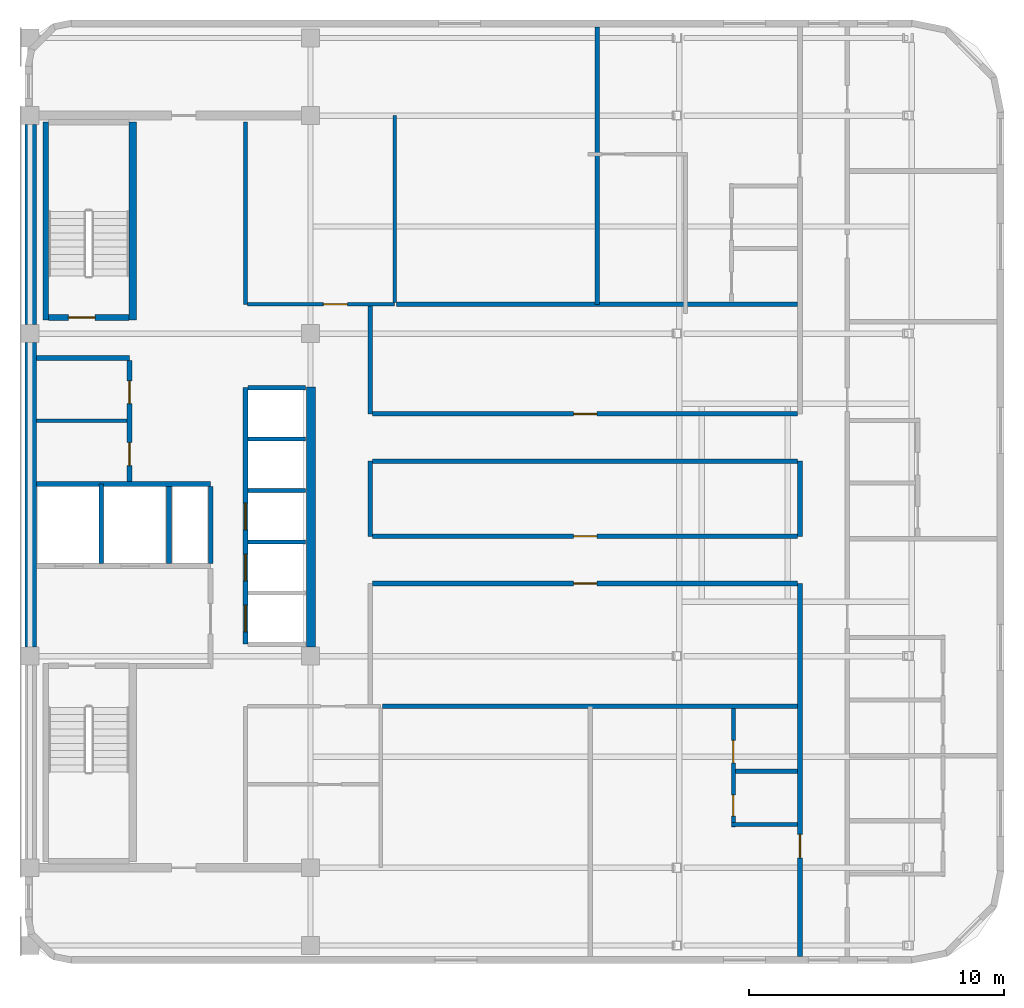
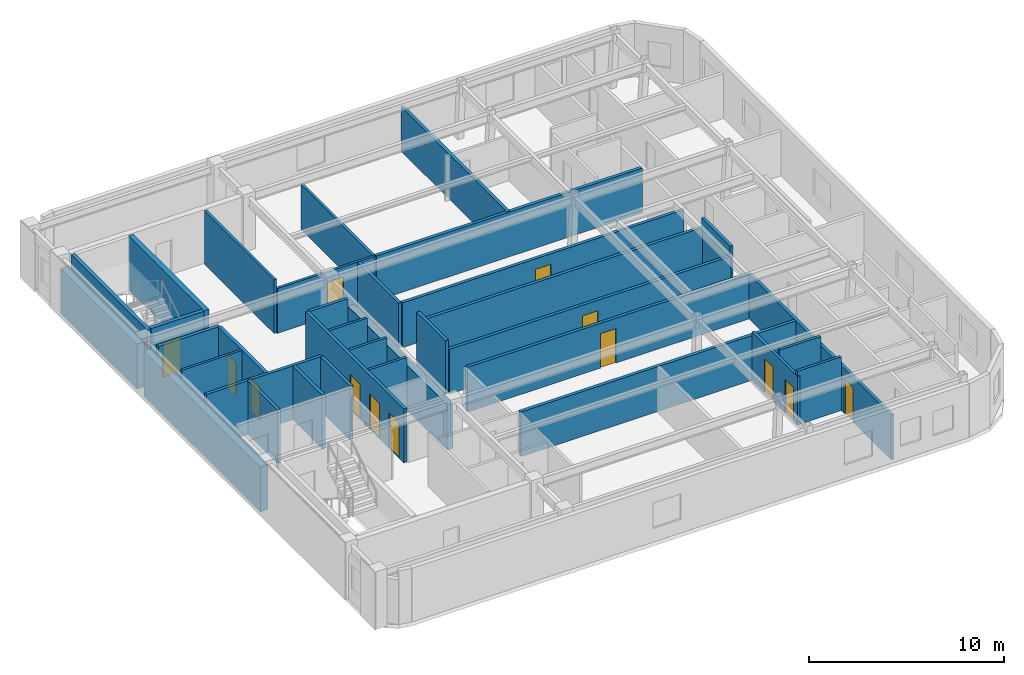
# One storey, part 3 of 6: 35 walls, 13 doors, 13 openings.
"""IFC4 building model written with IfcOpenShell, lengths in metres."""

from ifc_helpers import new_model, si_unit, direction, frame, frame_2d, origin, place, context, subcontext, project, spatial, rectangle, extrude, material, layer, layer_set, type_object, element, fill, save


model = new_model("IFC4")

# Units and contexts
model_context = context("Model", 3, precision=1e-05, world=origin(), true_north=direction((0.0, 1.0)))
body_context = subcontext(model_context, "Body", "Model", "MODEL_VIEW")
ifc_project = project(units=[si_unit("LENGTHUNIT", "METRE"), si_unit("AREAUNIT", "SQUARE_METRE"), si_unit("VOLUMEUNIT", "CUBIC_METRE"), si_unit("PLANEANGLEUNIT", "RADIAN"), si_unit("MASSUNIT", "GRAM", prefix="KILO")], contexts=[model_context])

# Site, building, storey
site_placement = place(None, origin())
site = spatial("IfcSite", under=ifc_project, at=site_placement, CompositionType="ELEMENT")
building_placement = place(site_placement, origin())
building = spatial("IfcBuilding", under=site, at=building_placement, Name="Ochreholt Gables", CompositionType="ELEMENT")
storey_placement = place(building_placement, frame((0.0, 0.0, 274.800048828125)))
storey = spatial("IfcBuildingStorey", under=building, at=storey_placement, Name="L72", CompositionType="ELEMENT", Elevation=274.800048828125)

# Walls
ifc_material_1 = material(Name="Concrete 50 MPa", Category="concrete")
ifc_layer_1 = layer(ifc_material_1, 0.35009765625, Name="Concrete 50 MPa")
ifc_layer_set_1 = layer_set([ifc_layer_1], Name="Concrete 50 MPa")
wall_type_1 = type_object("IfcWallType", Name="WALL-CSW-350", PredefinedType="SHEAR", material=ifc_layer_set_1)
wall_1_placement = place(storey_placement, frame((35.22509765625, 17.89990234375, 0.0), z_axis=(0.0, 0.0, 1.0), x_axis=(0.0, 1.0, 0.0)))
element("IfcWall", 1, at=wall_1_placement, inside=storey, type_object=wall_type_1, Name="L72 Core Central-East Shear Wall", PredefinedType="SHEAR", context=body_context, shape_type="SweptSolid", body=[
    extrude(rectangle(XDim=10.2001953125, YDim=0.35009765625, at=frame_2d((5.10009765625, 0.0))), origin(), (0.0, 0.0, 1.0), 2.821044921875),
])
ifc_layer_2 = layer(ifc_material_1, 0.449951171875, Name="Concrete 50 MPa")
ifc_layer_set_2 = layer_set([ifc_layer_2], Name="Concrete 50 MPa")
wall_type_2 = type_object("IfcWallType", Name="WALL-CSW-EXT", PredefinedType="SHEAR", material=ifc_layer_set_2)
wall_2_placement = place(storey_placement, frame((24.22509765625, 17.89990234375, 0.0), z_axis=(0.0, 0.0, 1.0), x_axis=(0.0, 1.0, 0.0)))
element("IfcWall", 2, at=wall_2_placement, inside=storey, type_object=wall_type_2, Name="L72 Core West Shear Wall WM", PredefinedType="SHEAR", context=body_context, shape_type="SweptSolid", body=[
    extrude(rectangle(XDim=11.9501953125, YDim=0.449951171875, at=frame_2d((5.97509765625, 0.0))), origin(), (0.0, 0.0, 1.0), 2.821044921875),
])
wall_3_placement = place(storey_placement, frame((24.22509765625, 30.550048828125, 0.0), z_axis=(0.0, 0.0, 1.0), x_axis=(0.0, 1.0, 0.0)))
element("IfcWall", 3, at=wall_3_placement, inside=storey, type_object=wall_type_2, Name="L72 Core West Shear Wall WN", PredefinedType="SHEAR", context=body_context, shape_type="SweptSolid", body=[
    extrude(rectangle(XDim=7.849853515625, YDim=0.449951171875, at=frame_2d((3.9248046875, 0.0))), origin(), (0.0, 0.0, 1.0), 2.821044921875),
])
ifc_material_2 = material(Name="Concrete 40 MPa", Category="concrete")
ifc_layer_3 = layer(ifc_material_2, 0.199951171875, Name="Concrete 40 MPa")
ifc_layer_set_3 = layer_set([ifc_layer_3], Name="Concrete 40 MPa")
wall_type_3 = type_object("IfcWallType", Name="WALL-INT-CF200", PredefinedType="STANDARD", material=ifc_layer_set_3)
wall_4_placement = place(storey_placement, frame((24.449951171875, 29.239990234375, 0.0), z_axis=(0.0, 0.0, 1.0), x_axis=(1.0, 0.0, 0.0)))
element("IfcWall", 4, at=wall_4_placement, inside=storey, type_object=wall_type_3, Name="L72 Interior Wall WI-SRVN-L72", PredefinedType="STANDARD", context=body_context, shape_type="SweptSolid", body=[
    extrude(rectangle(XDim=3.650146484375, YDim=0.199951171875, at=frame_2d((1.8251953125, 0.0))), origin(), (0.0, 0.0, 1.0), 3.35986328125),
])

# Wall, openings, doors
wall_5_placement = place(storey_placement, frame((28.10009765625, 24.389892578125, 0.0), z_axis=(0.0, 0.0, 1.0), x_axis=(0.0, 1.0, 0.0)))
wall_5 = element("IfcWall", 5, at=wall_5_placement, inside=storey, type_object=wall_type_3, Name="L72 Interior Wall WI-SRVE-L72", PredefinedType="STANDARD", context=body_context, shape_type="SweptSolid", body=[
    extrude(rectangle(XDim=4.75, YDim=0.199951171875, at=frame_2d((2.375, 0.0))), origin(), (0.0, 0.0, 1.0), 3.35986328125),
])
opening_1_placement = place(wall_5_placement, frame((0.6298828125, 0.0, 0.0)))
opening_1 = element("IfcOpeningElement", 6, at=opening_1_placement, cuts=wall_5, Name="Opening D-SV1", PredefinedType="OPENING", context=body_context, shape_type="SweptSolid", body=[
    extrude(rectangle(XDim=0.89990234375, YDim=2.10009765625, at=frame_2d((0.449951171875, 1.050048828125))), frame((0.0, 0.10986328125, 0.0), z_axis=(0.0, -1.0, 0.0), x_axis=(1.0, 0.0, 0.0)), (0.0, 0.0, 1.0), 0.219970703125),
])
opening_2_placement = place(wall_5_placement, frame((3.06005859375, 0.0, 0.0)))
opening_2 = element("IfcOpeningElement", 7, at=opening_2_placement, cuts=wall_5, Name="Opening D-SV1", PredefinedType="OPENING", context=body_context, shape_type="SweptSolid", body=[
    extrude(rectangle(XDim=0.89990234375, YDim=2.10009765625, at=frame_2d((0.449951171875, 1.050048828125))), frame((0.0, 0.10986328125, 0.0), z_axis=(0.0, -1.0, 0.0), x_axis=(1.0, 0.0, 0.0)), (0.0, 0.0, 1.0), 0.219970703125),
])
ifc_material_3 = material(Name="Hollow Metal Steel", Category="steel")
door_type_1 = type_object("IfcDoorType", Name="DR-INT-SRV900", OperationType="NOTDEFINED", PredefinedType="DOOR", material=ifc_material_3)
door_1_placement = place(opening_1_placement, origin())
door_1 = element("IfcDoor", 8, at=door_1_placement, inside=storey, type_object=door_type_1, Name="L72 Door D-SRV1-L72", OperationType="SINGLE_SWING_LEFT", OverallHeight=2.10009765625, OverallWidth=0.89990234375, PredefinedType="DOOR", context=body_context, shape_type="SweptSolid", body=[
    extrude(rectangle(XDim=0.89990234375, YDim=2.10009765625, at=frame_2d((0.449951171875, 1.050048828125))), frame((0.0, 0.02490234375, 0.0), z_axis=(0.0, -1.0, 0.0), x_axis=(1.0, 0.0, 0.0)), (0.0, 0.0, 1.0), 0.050048828125),
])
fill(opening_1, door_1)
door_2_placement = place(opening_2_placement, origin())
door_2 = element("IfcDoor", 9, at=door_2_placement, inside=storey, type_object=door_type_1, Name="L72 Door D-SRV2-L72", OperationType="SINGLE_SWING_RIGHT", OverallHeight=2.10009765625, OverallWidth=0.89990234375, PredefinedType="DOOR", context=body_context, shape_type="SweptSolid", body=[
    extrude(rectangle(XDim=0.89990234375, YDim=2.10009765625, at=frame_2d((0.449951171875, 1.050048828125))), frame((0.0, 0.02490234375, 0.0), z_axis=(0.0, -1.0, 0.0), x_axis=(1.0, 0.0, 0.0)), (0.0, 0.0, 1.0), 0.050048828125),
])
fill(opening_2, door_2)

# Walls
ifc_material_4 = material(Name="Fire-Rated Gypsum Acoustic Partition", Category="gypsum")
ifc_layer_4 = layer(ifc_material_4, 0.179931640625, Name="Fire-Rated Gypsum Acoustic Partition")
ifc_layer_set_4 = layer_set([ifc_layer_4], Name="Fire-Rated Gypsum Acoustic Partition")
wall_type_4 = type_object("IfcWallType", Name="WALL-INT-CR180", PredefinedType="STANDARD", material=ifc_layer_set_4)
wall_6_placement = place(storey_placement, frame((37.550048828125, 22.25, 0.0), z_axis=(0.0, 0.0, 1.0), x_axis=(0.0, 1.0, 0.0)))
element("IfcWall", 10, at=wall_6_placement, inside=storey, type_object=wall_type_4, Name="L72 Interior Wall WI-C3CE2-L72", PredefinedType="STANDARD", context=body_context, shape_type="SweptSolid", body=[
    extrude(rectangle(XDim=2.949951171875, YDim=0.179931640625, at=frame_2d((1.47509765625, 0.0))), origin(), (0.0, 0.0, 1.0), 3.35986328125),
])
wall_7_placement = place(storey_placement, frame((37.550048828125, 27.050048828125, 0.0), z_axis=(0.0, 0.0, 1.0), x_axis=(0.0, 1.0, 0.0)))
element("IfcWall", 11, at=wall_7_placement, inside=storey, type_object=wall_type_4, Name="L72 Interior Wall WI-C3CE4-L72", PredefinedType="STANDARD", context=body_context, shape_type="SweptSolid", body=[
    extrude(rectangle(XDim=4.2275390625, YDim=0.179931640625, at=frame_2d((2.11376953125, 0.0))), origin(), (0.0, 0.0, 1.0), 2.802978515625),
])

# Wall, opening, door
wall_8_placement = place(storey_placement, frame((54.39990234375, 5.77001953125, 0.0), z_axis=(0.0, 0.0, 1.0), x_axis=(0.0, 1.0, 0.0)))
wall_8 = element("IfcWall", 12, at=wall_8_placement, inside=storey, type_object=wall_type_4, Name="L72 Interior Wall WI-C3GW0-L72", PredefinedType="STANDARD", context=body_context, shape_type="SweptSolid", body=[
    extrude(rectangle(XDim=14.6298828125, YDim=0.179931640625, at=frame_2d((7.31494140625, 0.0))), origin(), (0.0, 0.0, 1.0), 2.802978515625),
])
opening_3_placement = place(wall_8_placement, frame((3.8701171875, 0.0, 0.0)))
opening_3 = element("IfcOpeningElement", 13, at=opening_3_placement, cuts=wall_8, Name="Opening D-UN1", PredefinedType="OPENING", context=body_context, shape_type="SweptSolid", body=[
    extrude(rectangle(XDim=0.919921875, YDim=2.14990234375, at=frame_2d((0.4599609375, 1.074951171875))), frame((0.0, 0.099853515625, 0.0), z_axis=(0.0, -1.0, 0.0), x_axis=(1.0, 0.0, 0.0)), (0.0, 0.0, 1.0), 0.199951171875),
])
ifc_material_5 = material(Name="Engineered Oak Timber", Category="wood")
door_type_2 = type_object("IfcDoorType", Name="DR-INT-UNT920", OperationType="NOTDEFINED", PredefinedType="DOOR", material=ifc_material_5)
door_3_placement = place(opening_3_placement, origin())
door_3 = element("IfcDoor", 14, at=door_3_placement, inside=storey, type_object=door_type_2, Name="L72 Door D-U-L72SM1-ENT", OperationType="SINGLE_SWING_LEFT", OverallHeight=2.14990234375, OverallWidth=0.919921875, PredefinedType="DOOR", context=body_context, shape_type="SweptSolid", body=[
    extrude(rectangle(XDim=0.919921875, YDim=2.14990234375, at=frame_2d((0.4599609375, 1.074951171875))), frame((0.0, 0.02490234375, 0.0), z_axis=(0.0, -1.0, 0.0), x_axis=(1.0, 0.0, 0.0)), (0.0, 0.0, 1.0), 0.050048828125),
])
fill(opening_3, door_3)

# Wall
wall_9_placement = place(storey_placement, frame((54.39990234375, 22.25, 0.0), z_axis=(0.0, 0.0, 1.0), x_axis=(0.0, 1.0, 0.0)))
element("IfcWall", 15, at=wall_9_placement, inside=storey, type_object=wall_type_4, Name="L72 Interior Wall WI-C3GW2-L72", PredefinedType="STANDARD", context=body_context, shape_type="SweptSolid", body=[
    extrude(rectangle(XDim=2.949951171875, YDim=0.179931640625, at=frame_2d((1.47509765625, 0.0))), origin(), (0.0, 0.0, 1.0), 3.35986328125),
])

# Wall, opening, door
wall_10_placement = place(storey_placement, frame((37.639892578125, 20.39990234375, 0.0), z_axis=(0.0, 0.0, 1.0), x_axis=(1.0, 0.0, 0.0)))
wall_10 = element("IfcWall", 16, at=wall_10_placement, inside=storey, type_object=wall_type_4, Name="L72 Interior Wall WI-C3BRS1-L72", PredefinedType="STANDARD", context=body_context, shape_type="SweptSolid", body=[
    extrude(rectangle(XDim=16.670166015625, YDim=0.179931640625, at=frame_2d((8.3349609375, 0.0))), origin(), (0.0, 0.0, 1.0), 2.802978515625),
])
opening_4_placement = place(wall_10_placement, frame((7.875, 0.0, 0.0)))
opening_4 = element("IfcOpeningElement", 17, at=opening_4_placement, cuts=wall_10, Name="Opening D-UN1", PredefinedType="OPENING", context=body_context, shape_type="SweptSolid", body=[
    extrude(rectangle(XDim=0.919921875, YDim=2.14990234375, at=frame_2d((0.4599609375, 1.074951171875))), frame((0.0, 0.099853515625, 0.0), z_axis=(0.0, -1.0, 0.0), x_axis=(1.0, 0.0, 0.0)), (0.0, 0.0, 1.0), 0.199951171875),
])
door_4_placement = place(opening_4_placement, origin())
door_4 = element("IfcDoor", 18, at=door_4_placement, inside=storey, type_object=door_type_2, Name="L72 Door D-U-L72SM2-ENT", OperationType="SINGLE_SWING_LEFT", OverallHeight=2.14990234375, OverallWidth=0.919921875, PredefinedType="DOOR", context=body_context, shape_type="SweptSolid", body=[
    extrude(rectangle(XDim=0.919921875, YDim=2.14990234375, at=frame_2d((0.4599609375, 1.074951171875))), frame((0.0, 0.02490234375, 0.0), z_axis=(0.0, -1.0, 0.0), x_axis=(1.0, 0.0, 0.0)), (0.0, 0.0, 1.0), 0.050048828125),
])
fill(opening_4, door_4)

wall_11_placement = place(storey_placement, frame((37.639892578125, 22.25, 0.0), z_axis=(0.0, 0.0, 1.0), x_axis=(1.0, 0.0, 0.0)))
wall_11 = element("IfcWall", 19, at=wall_11_placement, inside=storey, type_object=wall_type_4, Name="L72 Interior Wall WI-C3BRN1-L72", PredefinedType="STANDARD", context=body_context, shape_type="SweptSolid", body=[
    extrude(rectangle(XDim=16.670166015625, YDim=0.179931640625, at=frame_2d((8.3349609375, 0.0))), origin(), (0.0, 0.0, 1.0), 2.802978515625),
])
opening_5_placement = place(wall_11_placement, frame((7.875, 0.0, 0.0)))
opening_5 = element("IfcOpeningElement", 20, at=opening_5_placement, cuts=wall_11, Name="Opening D-UN1", PredefinedType="OPENING", context=body_context, shape_type="SweptSolid", body=[
    extrude(rectangle(XDim=0.919921875, YDim=2.14990234375, at=frame_2d((0.4599609375, 1.074951171875))), frame((0.0, 0.099853515625, 0.0), z_axis=(0.0, -1.0, 0.0), x_axis=(1.0, 0.0, 0.0)), (0.0, 0.0, 1.0), 0.199951171875),
])
door_5_placement = place(opening_5_placement, origin())
door_5 = element("IfcDoor", 21, at=door_5_placement, inside=storey, type_object=door_type_2, Name="L72 Door D-U-L72MC1-ENT", OperationType="SINGLE_SWING_LEFT", OverallHeight=2.14990234375, OverallWidth=0.919921875, PredefinedType="DOOR", context=body_context, shape_type="SweptSolid", body=[
    extrude(rectangle(XDim=0.919921875, YDim=2.14990234375, at=frame_2d((0.4599609375, 1.074951171875))), frame((0.0, 0.02490234375, 0.0), z_axis=(0.0, -1.0, 0.0), x_axis=(1.0, 0.0, 0.0)), (0.0, 0.0, 1.0), 0.050048828125),
])
fill(opening_5, door_5)

# Wall
wall_12_placement = place(storey_placement, frame((37.639892578125, 25.199951171875, 0.0), z_axis=(0.0, 0.0, 1.0), x_axis=(1.0, 0.0, 0.0)))
element("IfcWall", 22, at=wall_12_placement, inside=storey, type_object=wall_type_4, Name="L72 Interior Wall WI-C3BRS2-L72", PredefinedType="STANDARD", context=body_context, shape_type="SweptSolid", body=[
    extrude(rectangle(XDim=16.670166015625, YDim=0.179931640625, at=frame_2d((8.3349609375, 0.0))), origin(), (0.0, 0.0, 1.0), 2.802978515625),
])

# Wall, opening, door
wall_13_placement = place(storey_placement, frame((37.639892578125, 27.050048828125, 0.0), z_axis=(0.0, 0.0, 1.0), x_axis=(1.0, 0.0, 0.0)))
wall_13 = element("IfcWall", 23, at=wall_13_placement, inside=storey, type_object=wall_type_4, Name="L72 Interior Wall WI-C3BRN2-L72", PredefinedType="STANDARD", context=body_context, shape_type="SweptSolid", body=[
    extrude(rectangle(XDim=16.670166015625, YDim=0.179931640625, at=frame_2d((8.3349609375, 0.0))), origin(), (0.0, 0.0, 1.0), 2.802978515625),
])
opening_6_placement = place(wall_13_placement, frame((7.875, 0.0, 0.0)))
opening_6 = element("IfcOpeningElement", 24, at=opening_6_placement, cuts=wall_13, Name="Opening D-UN1", PredefinedType="OPENING", context=body_context, shape_type="SweptSolid", body=[
    extrude(rectangle(XDim=0.919921875, YDim=2.14990234375, at=frame_2d((0.4599609375, 1.074951171875))), frame((0.0, 0.099853515625, 0.0), z_axis=(0.0, -1.0, 0.0), x_axis=(1.0, 0.0, 0.0)), (0.0, 0.0, 1.0), 0.199951171875),
])
door_6_placement = place(opening_6_placement, origin())
door_6 = element("IfcDoor", 25, at=door_6_placement, inside=storey, type_object=door_type_2, Name="L72 Door D-U-L72NM1-ENT", OperationType="SINGLE_SWING_LEFT", OverallHeight=2.14990234375, OverallWidth=0.919921875, PredefinedType="DOOR", context=body_context, shape_type="SweptSolid", body=[
    extrude(rectangle(XDim=0.919921875, YDim=2.14990234375, at=frame_2d((0.4599609375, 1.074951171875))), frame((0.0, 0.02490234375, 0.0), z_axis=(0.0, -1.0, 0.0), x_axis=(1.0, 0.0, 0.0)), (0.0, 0.0, 1.0), 0.050048828125),
])
fill(opening_6, door_6)

# Walls
ifc_material_6 = material(Name="Double-Stud Acoustic Demising Wall", Category="gypsum")
ifc_layer_5 = layer(ifc_material_6, 0.18505859375, Name="Double-Stud Acoustic Demising Wall")
ifc_layer_set_5 = layer_set([ifc_layer_5], Name="Double-Stud Acoustic Demising Wall")
wall_type_5 = type_object("IfcWallType", Name="WALL-INT-DM185", PredefinedType="PARTITIONING", material=ifc_layer_set_5)
wall_14_placement = place(storey_placement, frame((46.449951171875, 31.35009765625, 0.0), z_axis=(0.0, 0.0, 1.0), x_axis=(0.0, 1.0, 0.0)))
element("IfcWall", 26, at=wall_14_placement, inside=storey, type_object=wall_type_5, Name="L72 Interior Wall WI-C3NMX-L72", PredefinedType="PARTITIONING", context=body_context, shape_type="SweptSolid", body=[
    extrude(rectangle(XDim=10.8798828125, YDim=0.18505859375, at=frame_2d((5.43994140625, 0.0))), origin(), (0.0, 0.0, 1.0), 2.802978515625),
])
wall_15_placement = place(storey_placement, frame((38.0224609375, 15.580078125, 0.0), z_axis=(0.0, 0.0, 1.0), x_axis=(1.0, 0.0, 0.0)))
element("IfcWall", 27, at=wall_15_placement, inside=storey, type_object=wall_type_5, Name="L72 Interior Wall WI-C3SMY-L72", PredefinedType="PARTITIONING", context=body_context, shape_type="SweptSolid", body=[
    extrude(rectangle(XDim=16.28759765625, YDim=0.18505859375, at=frame_2d((8.143798828125, 0.0))), origin(), (0.0, 0.0, 1.0), 2.802978515625),
])
wall_16_placement = place(storey_placement, frame((38.572509765625, 31.35009765625, 0.0), z_axis=(0.0, 0.0, 1.0), x_axis=(1.0, 0.0, 0.0)))
element("IfcWall", 28, at=wall_16_placement, inside=storey, type_object=wall_type_5, Name="L72 Interior Wall WI-C3NMY-L72", PredefinedType="PARTITIONING", context=body_context, shape_type="SweptSolid", body=[
    extrude(rectangle(XDim=15.737548828125, YDim=0.18505859375, at=frame_2d((7.86865234375, 0.0))), origin(), (0.0, 0.0, 1.0), 2.802978515625),
])
ifc_material_7 = material(Name="Moisture-Resistant Plumbing Chase Wall", Category="gypsum")
ifc_layer_6 = layer(ifc_material_7, 0.159912109375, Name="Moisture-Resistant Plumbing Chase Wall")
ifc_layer_set_6 = layer_set([ifc_layer_6], Name="Moisture-Resistant Plumbing Chase Wall")
wall_type_6 = type_object("IfcWallType", Name="WALL-INT-PL160", PredefinedType="PLUMBINGWALL", material=ifc_layer_set_6)
wall_17_placement = place(storey_placement, frame((51.7041015625, 10.93994140625, 0.0), z_axis=(0.0, 0.0, 1.0), x_axis=(1.0, 0.0, 0.0)))
element("IfcWall", 29, at=wall_17_placement, inside=storey, type_object=wall_type_6, Name="L72 Interior Wall WU-L72SM1-WYS", PredefinedType="PLUMBINGWALL", context=body_context, shape_type="SweptSolid", body=[
    extrude(rectangle(XDim=2.60595703125, YDim=0.159912109375, at=frame_2d((1.302978515625, 0.0))), origin(), (0.0, 0.0, 1.0), 3.35986328125),
])

# Wall, openings, doors
wall_18_placement = place(storey_placement, frame((51.783935546875, 10.85009765625, 0.0), z_axis=(0.0, 0.0, 1.0), x_axis=(0.0, 1.0, 0.0)))
wall_18 = element("IfcWall", 30, at=wall_18_placement, inside=storey, type_object=wall_type_6, Name="L72 Interior Wall WU-L72SM1-WX", PredefinedType="PLUMBINGWALL", context=body_context, shape_type="SweptSolid", body=[
    extrude(rectangle(XDim=4.637451171875, YDim=0.159912109375, at=frame_2d((2.31884765625, 0.0))), origin(), (0.0, 0.0, 1.0), 3.0390625),
])
opening_7_placement = place(wall_18_placement, frame((0.419921875, 0.0, 0.0)))
opening_7 = element("IfcOpeningElement", 31, at=opening_7_placement, cuts=wall_18, Name="Opening D-BT2", PredefinedType="OPENING", context=body_context, shape_type="SweptSolid", body=[
    extrude(rectangle(XDim=0.840087890625, YDim=2.1201171875, at=frame_2d((0.419921875, 1.06005859375))), frame((0.0, 0.08984375, 0.0), z_axis=(0.0, -1.0, 0.0), x_axis=(1.0, 0.0, 0.0)), (0.0, 0.0, 1.0), 0.179931640625),
])
opening_8_placement = place(wall_18_placement, frame((2.512939453125, 0.0, 0.0)))
opening_8 = element("IfcOpeningElement", 32, at=opening_8_placement, cuts=wall_18, Name="Opening D-GN2", PredefinedType="OPENING", context=body_context, shape_type="SweptSolid", body=[
    extrude(rectangle(XDim=0.8798828125, YDim=2.1201171875, at=frame_2d((0.43994140625, 1.06005859375))), frame((0.0, 0.08984375, 0.0), z_axis=(0.0, -1.0, 0.0), x_axis=(1.0, 0.0, 0.0)), (0.0, 0.0, 1.0), 0.179931640625),
])
door_type_3 = type_object("IfcDoorType", Name="DR-INT-BTH840", OperationType="NOTDEFINED", PredefinedType="DOOR", material=ifc_material_5)
door_7_placement = place(opening_7_placement, origin())
door_7 = element("IfcDoor", 33, at=door_7_placement, inside=storey, type_object=door_type_3, Name="L72 Door D-U-L72SM1-BTH", OperationType="SINGLE_SWING_RIGHT", OverallHeight=2.1201171875, OverallWidth=0.840087890625, PredefinedType="DOOR", context=body_context, shape_type="SweptSolid", body=[
    extrude(rectangle(XDim=0.840087890625, YDim=2.1201171875, at=frame_2d((0.419921875, 1.06005859375))), frame((0.0, 0.02490234375, 0.0), z_axis=(0.0, -1.0, 0.0), x_axis=(1.0, 0.0, 0.0)), (0.0, 0.0, 1.0), 0.050048828125),
])
fill(opening_7, door_7)
door_type_4 = type_object("IfcDoorType", Name="DR-INT-GEN880", OperationType="NOTDEFINED", PredefinedType="DOOR", material=ifc_material_5)
door_8_placement = place(opening_8_placement, origin())
door_8 = element("IfcDoor", 34, at=door_8_placement, inside=storey, type_object=door_type_4, Name="L72 Door D-U-L72SM1-KIT", OperationType="SINGLE_SWING_LEFT", OverallHeight=2.1201171875, OverallWidth=0.8798828125, PredefinedType="DOOR", context=body_context, shape_type="SweptSolid", body=[
    extrude(rectangle(XDim=0.8798828125, YDim=2.1201171875, at=frame_2d((0.43994140625, 1.06005859375))), frame((0.0, 0.02490234375, 0.0), z_axis=(0.0, -1.0, 0.0), x_axis=(1.0, 0.0, 0.0)), (0.0, 0.0, 1.0), 0.050048828125),
])
fill(opening_8, door_8)

# Walls
wall_19_placement = place(storey_placement, frame((51.864013671875, 13.032958984375, 0.0), z_axis=(0.0, 0.0, 1.0), x_axis=(1.0, 0.0, 0.0)))
element("IfcWall", 35, at=wall_19_placement, inside=storey, type_object=wall_type_6, Name="L72 Interior Wall WU-L72SM1-WM", PredefinedType="PLUMBINGWALL", context=body_context, shape_type="SweptSolid", body=[
    extrude(rectangle(XDim=2.446044921875, YDim=0.159912109375, at=frame_2d((1.22314453125, 0.0))), origin(), (0.0, 0.0, 1.0), 3.35986328125),
])
ifc_material_8 = material(Name="Lightweight Stud Partition", Category="gypsum")
ifc_layer_7 = layer(ifc_material_8, 0.14501953125, Name="Lightweight Stud Partition")
ifc_layer_set_7 = layer_set([ifc_layer_7], Name="Lightweight Stud Partition")
wall_type_7 = type_object("IfcWallType", Name="WALL-INT-PT145", PredefinedType="PARTITIONING", material=ifc_layer_set_7)
wall_20_placement = place(storey_placement, frame((24.449951171875, 26.780029296875, 0.0), z_axis=(0.0, 0.0, 1.0), x_axis=(1.0, 0.0, 0.0)))
element("IfcWall", 36, at=wall_20_placement, inside=storey, type_object=wall_type_7, Name="L72 Interior Wall WI-SRVP1-L72", PredefinedType="PARTITIONING", context=body_context, shape_type="SweptSolid", body=[
    extrude(rectangle(XDim=3.550048828125, YDim=0.14501953125, at=frame_2d((1.77490234375, 0.0))), origin(), (0.0, 0.0, 1.0), 3.35986328125),
])
wall_21_placement = place(storey_placement, frame((32.64990234375, 31.35009765625, 0.0), z_axis=(0.0, 0.0, 1.0), x_axis=(0.0, 1.0, 0.0)))
element("IfcWall", 37, at=wall_21_placement, inside=storey, type_object=wall_type_7, Name="L72 Interior Wall WI-RCM-W-L72", PredefinedType="PARTITIONING", context=body_context, shape_type="SweptSolid", body=[
    extrude(rectangle(XDim=7.14990234375, YDim=0.14501953125, at=frame_2d((3.574951171875, 0.0))), origin(), (0.0, 0.0, 1.0), 3.35986328125),
])

# Wall, opening, door
wall_22_placement = place(storey_placement, frame((32.722412109375, 31.35009765625, 0.0), z_axis=(0.0, 0.0, 1.0), x_axis=(1.0, 0.0, 0.0)))
wall_22 = element("IfcWall", 38, at=wall_22_placement, inside=storey, type_object=wall_type_7, Name="L72 Interior Wall WI-RCM-S-L72", PredefinedType="PARTITIONING", context=body_context, shape_type="SweptSolid", body=[
    extrude(rectangle(XDim=5.777587890625, YDim=0.14501953125, at=frame_2d((2.888671875, 0.0))), origin(), (0.0, 0.0, 1.0), 2.802978515625),
])
opening_9_placement = place(wall_22_placement, frame((2.9775390625, 0.0, 0.0)))
opening_9 = element("IfcOpeningElement", 39, at=opening_9_placement, cuts=wall_22, Name="Opening D-GN1", PredefinedType="OPENING", context=body_context, shape_type="SweptSolid", body=[
    extrude(rectangle(XDim=0.949951171875, YDim=2.14990234375, at=frame_2d((0.47509765625, 1.074951171875))), frame((0.0, 0.08251953125, 0.0), z_axis=(0.0, -1.0, 0.0), x_axis=(1.0, 0.0, 0.0)), (0.0, 0.0, 1.0), 0.1650390625),
])
door_type_5 = type_object("IfcDoorType", Name="DR-INT-GEN950", OperationType="NOTDEFINED", PredefinedType="DOOR", material=ifc_material_5)
door_9_placement = place(opening_9_placement, origin())
door_9 = element("IfcDoor", 40, at=door_9_placement, inside=storey, type_object=door_type_5, Name="L72 Door D-RCM-L72", OperationType="SINGLE_SWING_RIGHT", OverallHeight=2.14990234375, OverallWidth=0.949951171875, PredefinedType="DOOR", context=body_context, shape_type="SweptSolid", body=[
    extrude(rectangle(XDim=0.949951171875, YDim=2.14990234375, at=frame_2d((0.47509765625, 1.074951171875))), frame((0.0, 0.02490234375, 0.0), z_axis=(0.0, -1.0, 0.0), x_axis=(1.0, 0.0, 0.0)), (0.0, 0.0, 1.0), 0.050048828125),
])
fill(opening_9, door_9)

# Walls
wall_23_placement = place(storey_placement, frame((38.5, 31.422607421875, 0.0), z_axis=(0.0, 0.0, 1.0), x_axis=(0.0, 1.0, 0.0)))
element("IfcWall", 41, at=wall_23_placement, inside=storey, type_object=wall_type_7, Name="L72 Interior Wall WI-RCM-E-L72", PredefinedType="PARTITIONING", context=body_context, shape_type="SweptSolid", body=[
    extrude(rectangle(XDim=7.327392578125, YDim=0.14501953125, at=frame_2d((3.66357421875, 0.0))), origin(), (0.0, 0.0, 1.0), 2.802978515625),
])
ifc_material_9 = material(Name="Gypsum Shaftliner and Steel Stud", Category="steel")
ifc_layer_8 = layer(ifc_material_9, 0.14990234375, Name="Gypsum Shaftliner and Steel Stud")
ifc_layer_set_8 = layer_set([ifc_layer_8], Name="Gypsum Shaftliner and Steel Stud")
wall_type_8 = type_object("IfcWallType", Name="WALL-INT-SH150", PredefinedType="STANDARD", material=ifc_layer_set_8)
for number, where, z_axis, x_axis, name in (
    (42, (32.739990234375, 22.02001953125, 0.0), (0.0, 0.0, 1.0), (1.0, 0.0, 0.0), "L72 Interior Wall WI-LFHE-DH2-L72"),
    (43, (32.739990234375, 24.050048828125, 0.0), (0.0, 0.0, 1.0), (1.0, 0.0, 0.0), "L72 Interior Wall WI-LFHE-DHE-L72"),
    (44, (32.739990234375, 26.070068359375, 0.0), (0.0, 0.0, 1.0), (1.0, 0.0, 0.0), "L72 Interior Wall WI-LFHE-DEX1-L72"),
):
    element("IfcWall", number, at=place(storey_placement, frame(where, z_axis=z_axis, x_axis=x_axis)), inside=storey, type_object=wall_type_8, Name=name, PredefinedType="STANDARD", context=body_context, shape_type="SweptSolid", body=[
        extrude(rectangle(XDim=2.260009765625, YDim=0.14990234375, at=frame_2d((1.1298828125, 0.0))), origin(), (0.0, 0.0, 1.0), 3.35986328125),
    ])
ifc_layer_9 = layer(ifc_material_9, 0.179931640625, Name="Gypsum Shaftliner and Steel Stud")
ifc_layer_set_9 = layer_set([ifc_layer_9], Name="Gypsum Shaftliner and Steel Stud")
wall_type_9 = type_object("IfcWallType", Name="WALL-INT-SH180", PredefinedType="STANDARD", material=ifc_layer_set_9)
wall_24_placement = place(storey_placement, frame((27.0, 21.18994140625, 0.0), z_axis=(0.0, 0.0, 1.0), x_axis=(0.0, 1.0, 0.0)))
element("IfcWall", 45, at=wall_24_placement, inside=storey, type_object=wall_type_9, Name="L72 Interior Wall WI-FFDIV-L72", PredefinedType="STANDARD", context=body_context, shape_type="SweptSolid", body=[
    extrude(rectangle(XDim=3.110107421875, YDim=0.179931640625, at=frame_2d((1.55517578125, 0.0))), origin(), (0.0, 0.0, 1.0), 3.35986328125),
])
wall_25_placement = place(storey_placement, frame((24.449951171875, 24.300048828125, 0.0), z_axis=(0.0, 0.0, 1.0), x_axis=(1.0, 0.0, 0.0)))
element("IfcWall", 46, at=wall_25_placement, inside=storey, type_object=wall_type_9, Name="L72 Interior Wall WI-FFBK-L72", PredefinedType="STANDARD", context=body_context, shape_type="SweptSolid", body=[
    extrude(rectangle(XDim=6.830078125, YDim=0.179931640625, at=frame_2d((3.4150390625, 0.0))), origin(), (0.0, 0.0, 1.0), 3.35986328125),
])
for number, where, z_axis, x_axis, name in (
    (47, (29.64990234375, 21.18994140625, 0.0), (0.0, 0.0, 1.0), (0.0, 1.0, 0.0), "L72 Interior Wall WI-FFSH-L72"),
    (48, (31.280029296875, 21.18994140625, 0.0), (0.0, 0.0, 1.0), (0.0, 1.0, 0.0), "L72 Interior Wall WI-RSE-L72"),
):
    element("IfcWall", number, at=place(storey_placement, frame(where, z_axis=z_axis, x_axis=x_axis)), inside=storey, type_object=wall_type_9, Name=name, PredefinedType="STANDARD", context=body_context, shape_type="SweptSolid", body=[
        extrude(rectangle(XDim=3.02001953125, YDim=0.179931640625, at=frame_2d((1.510009765625, 0.0))), origin(), (0.0, 0.0, 1.0), 3.35986328125),
    ])

# Wall, openings, doors
wall_26_placement = place(storey_placement, frame((32.64990234375, 18.02001953125, 0.0), z_axis=(0.0, 0.0, 1.0), x_axis=(0.0, 1.0, 0.0)))
wall_26 = element("IfcWall", 49, at=wall_26_placement, inside=storey, type_object=wall_type_9, Name="L72 Interior Wall WI-LFHE-FR-L72", PredefinedType="STANDARD", context=body_context, shape_type="SweptSolid", body=[
    extrude(rectangle(XDim=10.06005859375, YDim=0.179931640625, at=frame_2d((5.030029296875, 0.0))), origin(), (0.0, 0.0, 1.0), 3.35986328125),
])
opening_10_placement = place(wall_26_placement, frame((0.47998046875, 0.0, 0.0)))
opening_10 = element("IfcOpeningElement", 50, at=opening_10_placement, cuts=wall_26, Name="Opening LD-PX", PredefinedType="OPENING", context=body_context, shape_type="SweptSolid", body=[
    extrude(rectangle(XDim=1.050048828125, YDim=2.199951171875, at=frame_2d((0.52490234375, 1.10009765625))), frame((0.0, 0.099853515625, 0.0), z_axis=(0.0, -1.0, 0.0), x_axis=(1.0, 0.0, 0.0)), (0.0, 0.0, 1.0), 0.199951171875),
])
opening_11_placement = place(wall_26_placement, frame((2.47998046875, 0.0, 0.0)))
opening_11 = element("IfcOpeningElement", 51, at=opening_11_placement, cuts=wall_26, Name="Opening LD-PX", PredefinedType="OPENING", context=body_context, shape_type="SweptSolid", body=[
    extrude(rectangle(XDim=1.050048828125, YDim=2.199951171875, at=frame_2d((0.52490234375, 1.10009765625))), frame((0.0, 0.099853515625, 0.0), z_axis=(0.0, -1.0, 0.0), x_axis=(1.0, 0.0, 0.0)), (0.0, 0.0, 1.0), 0.199951171875),
])
opening_12_placement = place(wall_26_placement, frame((4.47998046875, 0.0, 0.0)))
opening_12 = element("IfcOpeningElement", 52, at=opening_12_placement, cuts=wall_26, Name="Opening LD-PX", PredefinedType="OPENING", context=body_context, shape_type="SweptSolid", body=[
    extrude(rectangle(XDim=1.050048828125, YDim=2.199951171875, at=frame_2d((0.52490234375, 1.10009765625))), frame((0.0, 0.099853515625, 0.0), z_axis=(0.0, -1.0, 0.0), x_axis=(1.0, 0.0, 0.0)), (0.0, 0.0, 1.0), 0.199951171875),
])
ifc_material_10 = material(Name="Stainless Steel", Category="steel")
door_type_6 = type_object("IfcDoorType", Name="DR-LFT-PX1050", OperationType="NOTDEFINED", PredefinedType="DOOR", material=ifc_material_10)
door_10_placement = place(opening_10_placement, origin())
door_10 = element("IfcDoor", 53, at=door_10_placement, inside=storey, type_object=door_type_6, Name="L72 Door LD-LF-H1-L72", OperationType="SLIDING_TO_LEFT", OverallHeight=2.199951171875, OverallWidth=1.050048828125, PredefinedType="DOOR", context=body_context, shape_type="SweptSolid", body=[
    extrude(rectangle(XDim=1.050048828125, YDim=2.199951171875, at=frame_2d((0.52490234375, 1.10009765625))), frame((0.0, 0.02490234375, 0.0), z_axis=(0.0, -1.0, 0.0), x_axis=(1.0, 0.0, 0.0)), (0.0, 0.0, 1.0), 0.050048828125),
])
fill(opening_10, door_10)
door_11_placement = place(opening_11_placement, origin())
door_11 = element("IfcDoor", 54, at=door_11_placement, inside=storey, type_object=door_type_6, Name="L72 Door LD-LF-H2-L72", OperationType="SLIDING_TO_LEFT", OverallHeight=2.199951171875, OverallWidth=1.050048828125, PredefinedType="DOOR", context=body_context, shape_type="SweptSolid", body=[
    extrude(rectangle(XDim=1.050048828125, YDim=2.199951171875, at=frame_2d((0.52490234375, 1.10009765625))), frame((0.0, 0.02490234375, 0.0), z_axis=(0.0, -1.0, 0.0), x_axis=(1.0, 0.0, 0.0)), (0.0, 0.0, 1.0), 0.050048828125),
])
fill(opening_11, door_11)
door_12_placement = place(opening_12_placement, origin())
door_12 = element("IfcDoor", 55, at=door_12_placement, inside=storey, type_object=door_type_6, Name="L72 Door LD-LF-H3-L72", OperationType="SLIDING_TO_LEFT", OverallHeight=2.199951171875, OverallWidth=1.050048828125, PredefinedType="DOOR", context=body_context, shape_type="SweptSolid", body=[
    extrude(rectangle(XDim=1.050048828125, YDim=2.199951171875, at=frame_2d((0.52490234375, 1.10009765625))), frame((0.0, 0.02490234375, 0.0), z_axis=(0.0, -1.0, 0.0), x_axis=(1.0, 0.0, 0.0)), (0.0, 0.0, 1.0), 0.050048828125),
])
fill(opening_12, door_12)

# Walls
wall_27_placement = place(storey_placement, frame((32.739990234375, 28.080078125, 0.0), z_axis=(0.0, 0.0, 1.0), x_axis=(1.0, 0.0, 0.0)))
element("IfcWall", 56, at=wall_27_placement, inside=storey, type_object=wall_type_9, Name="L72 Interior Wall WI-LFHE-N-L72", PredefinedType="STANDARD", context=body_context, shape_type="SweptSolid", body=[
    extrude(rectangle(XDim=2.260009765625, YDim=0.179931640625, at=frame_2d((1.1298828125, 0.0))), origin(), (0.0, 0.0, 1.0), 3.35986328125),
])
ifc_material_11 = material(Name="Concrete 60 MPa", Category="concrete")
ifc_layer_10 = layer(ifc_material_11, 0.300048828125, Name="Concrete 60 MPa")
ifc_layer_set_10 = layer_set([ifc_layer_10], Name="Concrete 60 MPa")
wall_type_10 = type_object("IfcWallType", Name="WALL-SPN-300", PredefinedType="SHEAR", material=ifc_layer_set_10)
wall_28_placement = place(storey_placement, frame((28.22998046875, 30.739990234375, 0.0), z_axis=(0.0, 0.0, 1.0), x_axis=(0.0, 1.0, 0.0)))
element("IfcWall", 57, at=wall_28_placement, inside=storey, type_object=wall_type_10, Name="L72 Core North Spine Shear Wall", PredefinedType="SHEAR", context=body_context, shape_type="SweptSolid", body=[
    extrude(rectangle(XDim=7.760009765625, YDim=0.300048828125, at=frame_2d((3.8798828125, 0.0))), origin(), (0.0, 0.0, 1.0), 3.35986328125),
])
ifc_layer_11 = layer(ifc_material_1, 0.219970703125, Name="Concrete 50 MPa")
ifc_layer_set_11 = layer_set([ifc_layer_11], Name="Concrete 50 MPa")
wall_type_11 = type_object("IfcWallType", Name="WALL-STW-220", PredefinedType="SHEAR", material=ifc_layer_set_11)
wall_29_placement = place(storey_placement, frame((24.81005859375, 30.739990234375, 0.0), z_axis=(0.0, 0.0, 1.0), x_axis=(0.0, 1.0, 0.0)))
element("IfcWall", 58, at=wall_29_placement, inside=storey, type_object=wall_type_11, Name="L72 Exit Stair 2 West Wall", PredefinedType="SHEAR", context=body_context, shape_type="SweptSolid", body=[
    extrude(rectangle(XDim=7.760009765625, YDim=0.219970703125, at=frame_2d((3.8798828125, 0.0))), origin(), (0.0, 0.0, 1.0), 3.35986328125),
])

# Wall, opening, door
wall_30_placement = place(storey_placement, frame((24.919921875, 30.830078125, 0.0), z_axis=(0.0, 0.0, 1.0), x_axis=(1.0, 0.0, 0.0)))
wall_30 = element("IfcWall", 59, at=wall_30_placement, inside=storey, type_object=wall_type_11, Name="L72 Exit Stair 2 South Wall", PredefinedType="SHEAR", context=body_context, shape_type="SweptSolid", body=[
    extrude(rectangle(XDim=3.16015625, YDim=0.219970703125, at=frame_2d((1.580078125, 0.0))), origin(), (0.0, 0.0, 1.0), 3.35986328125),
])
opening_13_placement = place(wall_30_placement, frame((0.780029296875, 0.0, 0.0)))
opening_13 = element("IfcOpeningElement", 60, at=opening_13_placement, cuts=wall_30, Name="Opening D-STC", PredefinedType="OPENING", context=body_context, shape_type="SweptSolid", body=[
    extrude(rectangle(XDim=1.050048828125, YDim=2.14990234375, at=frame_2d((0.52490234375, 1.074951171875))), frame((0.0, 0.119873046875, 0.0), z_axis=(0.0, -1.0, 0.0), x_axis=(1.0, 0.0, 0.0)), (0.0, 0.0, 1.0), 0.239990234375),
])
door_type_7 = type_object("IfcDoorType", Name="DR-INT-ST1050", OperationType="NOTDEFINED", PredefinedType="DOOR", material=ifc_material_3)
door_13_placement = place(opening_13_placement, origin())
door_13 = element("IfcDoor", 61, at=door_13_placement, inside=storey, type_object=door_type_7, Name="L72 Door D-ST2-L72", OperationType="SINGLE_SWING_RIGHT", OverallHeight=2.14990234375, OverallWidth=1.050048828125, PredefinedType="DOOR", context=body_context, shape_type="SweptSolid", body=[
    extrude(rectangle(XDim=1.050048828125, YDim=2.14990234375, at=frame_2d((0.52490234375, 1.074951171875))), frame((0.0, 0.02490234375, 0.0), z_axis=(0.0, -1.0, 0.0), x_axis=(1.0, 0.0, 0.0)), (0.0, 0.0, 1.0), 0.050048828125),
])
fill(opening_13, door_13)

save(model, "model.ifc")
